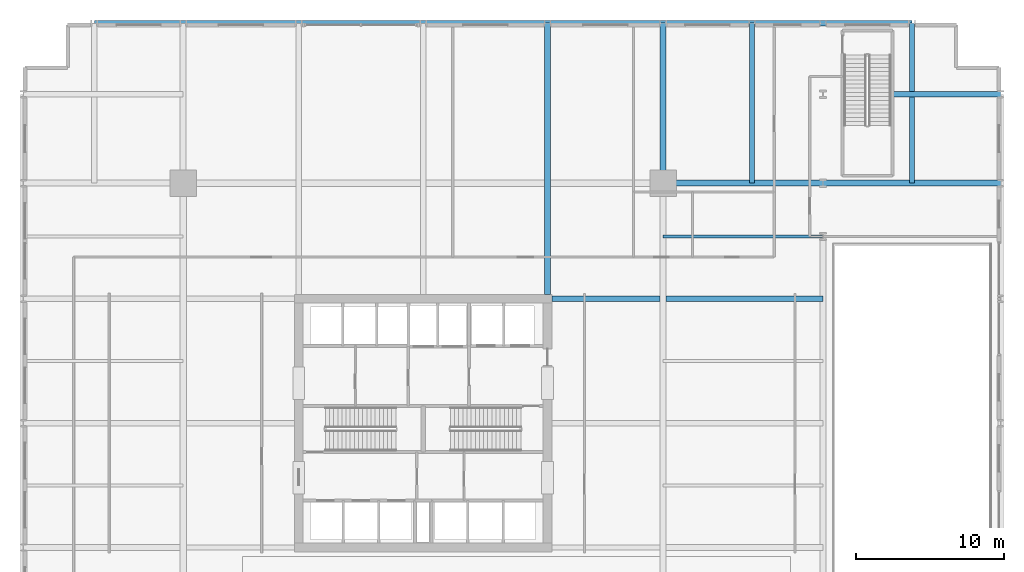
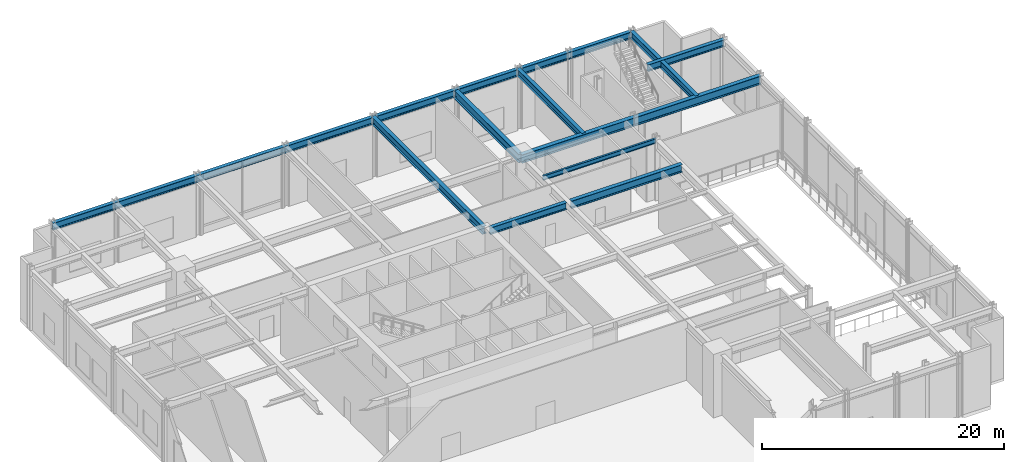
# One storey, part 6 of 20: 11 beams.
"""IFC4 building model written with IfcOpenShell, lengths in metres."""

from ifc_helpers import new_model, si_unit, direction, frame, origin, origin_2d, place, context, subcontext, project, spatial, i_section, extrude, material, material_profile, profile_set, type_object, element, save


model = new_model("IFC4")

# Units and contexts
model_context = context("Model", 3, precision=1e-05, world=origin(), true_north=direction((0.0, 1.0)))
body_context = subcontext(model_context, "Body", "Model", "MODEL_VIEW")
ifc_project = project(units=[si_unit("LENGTHUNIT", "METRE"), si_unit("AREAUNIT", "SQUARE_METRE"), si_unit("VOLUMEUNIT", "CUBIC_METRE"), si_unit("PLANEANGLEUNIT", "RADIAN"), si_unit("MASSUNIT", "GRAM", prefix="KILO")], contexts=[model_context])

# Site, building, storey
site_placement = place(None, origin())
site = spatial("IfcSite", under=ifc_project, at=site_placement, CompositionType="ELEMENT")
building_placement = place(site_placement, origin())
building = spatial("IfcBuilding", under=site, at=building_placement, Name="Drelvath Grand Hotel", CompositionType="ELEMENT")
storey_placement = place(building_placement, frame((0.0, 0.0, 10.800048828125)))
storey = spatial("IfcBuildingStorey", under=building, at=storey_placement, Name="L02", CompositionType="ELEMENT", Elevation=10.800048828125)

# Beams
ifc_material = material(Name="Steel ASTM A992 Gr 50", Category="steel")
ifc_material_profile_1 = material_profile(ifc_material, i_section(OverallWidth=0.19140625, OverallDepth=0.4599609375, WebThickness=0.010009765625, FlangeThickness=0.01611328125, FilletRadius=0.01611328125, at=origin_2d()), Name="W18X55")
ifc_profile_set_1 = profile_set([ifc_material_profile_1], Name="Steel ASTM A992 Gr 50")
beam_type_1 = type_object("IfcBeamType", Name="Composite Floor Joist W18X55", PredefinedType="JOIST", material=ifc_profile_set_1)
beam_1_placement = place(storey_placement, frame((16.199951171875, 39.60009765625, 5.869873046875), z_axis=(1.0, 0.0, 0.0), x_axis=(0.0, 1.0, 0.0)))
element("IfcBeam", 1, at=beam_1_placement, inside=storey, type_object=beam_type_1, Name="L02 East Composite Joist J4", PredefinedType="JOIST", context=body_context, shape_type="SweptSolid", body=[
    extrude(i_section(OverallWidth=0.19140625, OverallDepth=0.4599609375, WebThickness=0.010009765625, FlangeThickness=0.01611328125, FilletRadius=0.01611328125, at=origin_2d()), origin(), (0.0, 0.0, 1.0), 10.800048828125),
])
ifc_material_profile_2 = material_profile(ifc_material, i_section(OverallWidth=0.354736328125, OverallDepth=0.695556640625, WebThickness=0.015380859375, FlangeThickness=0.025146484375, FilletRadius=0.02392578125, at=origin_2d()), Name="W27X146")
ifc_profile_set_2 = profile_set([ifc_material_profile_2], Name="Steel ASTM A992 Gr 50")
beam_type_2 = type_object("IfcBeamType", Name="Perimeter Spandrel Beam W27X146", PredefinedType="SPANDREL", material=ifc_profile_set_2)
beam_2_placement = place(storey_placement, frame((-22.199951171875, 54.0, 5.752197265625), z_axis=(1.0, 0.0, 0.0), x_axis=(0.0, 1.0, 0.0)))
element("IfcBeam", 2, at=beam_2_placement, inside=storey, type_object=beam_type_2, Name="L02 Podium Perimeter Spandrel SPN1", PredefinedType="SPANDREL", context=body_context, shape_type="SweptSolid", body=[
    extrude(i_section(OverallWidth=0.354736328125, OverallDepth=0.695556640625, WebThickness=0.015380859375, FlangeThickness=0.025146484375, FilletRadius=0.02392578125, at=origin_2d()), origin(), (0.0, 0.0, 1.0), 55.199951171875),
])
ifc_material_profile_3 = material_profile(ifc_material, i_section(OverallWidth=0.354736328125, OverallDepth=0.695556640625, WebThickness=0.015380859375, FlangeThickness=0.025146484375, FilletRadius=0.02392578125, at=origin_2d()), Name="W27X146")
ifc_profile_set_3 = profile_set([ifc_material_profile_3], Name="Steel ASTM A992 Gr 50")
beam_type_3 = type_object("IfcBeamType", Name="Primary Floor Girder W27X146", PredefinedType="BEAM", material=ifc_profile_set_3)
beam_3_placement = place(storey_placement, frame((8.699951171875, 35.39990234375, 5.752197265625), z_axis=(1.0, 0.0, 0.0), x_axis=(0.0, 1.0, 0.0)))
element("IfcBeam", 3, at=beam_3_placement, inside=storey, type_object=beam_type_3, Name="L02 East Core Girder F", PredefinedType="BEAM", context=body_context, shape_type="SweptSolid", body=[
    extrude(i_section(OverallWidth=0.354736328125, OverallDepth=0.695556640625, WebThickness=0.015380859375, FlangeThickness=0.025146484375, FilletRadius=0.02392578125, at=origin_2d()), origin(), (0.0, 0.0, 1.0), 7.28857421875),
])
beam_4_placement = place(storey_placement, frame((31.679931640625, 49.199951171875, 5.752197265625), z_axis=(1.0, 0.0, 0.0), x_axis=(0.0, 1.0, 0.0)))
element("IfcBeam", 4, at=beam_4_placement, inside=storey, type_object=beam_type_3, Name="L02 East Corner Tie H", PredefinedType="BEAM", context=body_context, shape_type="SweptSolid", body=[
    extrude(i_section(OverallWidth=0.354736328125, OverallDepth=0.695556640625, WebThickness=0.015380859375, FlangeThickness=0.025146484375, FilletRadius=0.02392578125, at=origin_2d()), origin(), (0.0, 0.0, 1.0), 7.320068359375),
])
for number, where, z_axis, x_axis, name in (
    (5, (22.199951171875, 43.199951171875, 5.752197265625), (0.0, 1.0, 0.0), (-1.0, 0.0, 0.0), "L02 North Corner Tie 8"),
    (6, (33.0, 43.199951171875, 5.752197265625), (0.0, 1.0, 0.0), (-1.0, 0.0, 0.0), "L02 North Corner Tie 10"),
):
    element("IfcBeam", number, at=place(storey_placement, frame(where, z_axis=z_axis, x_axis=x_axis)), inside=storey, type_object=beam_type_3, Name=name, PredefinedType="BEAM", context=body_context, shape_type="SweptSolid", body=[
        extrude(i_section(OverallWidth=0.354736328125, OverallDepth=0.695556640625, WebThickness=0.015380859375, FlangeThickness=0.025146484375, FilletRadius=0.02392578125, at=origin_2d()), origin(), (0.0, 0.0, 1.0), 10.800048828125),
    ])
ifc_material_profile_4 = material_profile(ifc_material, i_section(OverallWidth=0.380615234375, OverallDepth=0.773193359375, WebThickness=0.0166015625, FlangeThickness=0.027099609375, FilletRadius=0.02490234375, at=origin_2d()), Name="W30X173")
ifc_profile_set_4 = profile_set([ifc_material_profile_4], Name="Steel ASTM A992 Gr 50")
beam_type_4 = type_object("IfcBeamType", Name="Primary Floor Girder W30X173", PredefinedType="BEAM", material=ifc_profile_set_4)
beam_5_placement = place(storey_placement, frame((8.39990234375, 35.699951171875, 5.71337890625), z_axis=(0.0, 1.0, 0.0), x_axis=(-1.0, 0.0, 0.0)))
element("IfcBeam", 7, at=beam_5_placement, inside=storey, type_object=beam_type_4, Name="L02 North Span Girder Grid 6", PredefinedType="BEAM", context=body_context, shape_type="SweptSolid", body=[
    extrude(i_section(OverallWidth=0.380615234375, OverallDepth=0.773193359375, WebThickness=0.0166015625, FlangeThickness=0.027099609375, FilletRadius=0.02490234375, at=origin_2d()), origin(), (0.0, 0.0, 1.0), 18.300048828125),
])
beam_6_placement = place(storey_placement, frame((16.41162109375, 35.39990234375, 5.71337890625), z_axis=(1.0, 0.0, 0.0), x_axis=(0.0, 1.0, 0.0)))
element("IfcBeam", 8, at=beam_6_placement, inside=storey, type_object=beam_type_4, Name="L02 East Bay Girder F", PredefinedType="BEAM", context=body_context, shape_type="SweptSolid", body=[
    extrude(i_section(OverallWidth=0.380615234375, OverallDepth=0.773193359375, WebThickness=0.0166015625, FlangeThickness=0.027099609375, FilletRadius=0.02490234375, at=origin_2d()), origin(), (0.0, 0.0, 1.0), 10.58837890625),
])
ifc_material_profile_5 = material_profile(ifc_material, i_section(OverallWidth=0.39990234375, OverallDepth=0.85546875, WebThickness=0.018310546875, FlangeThickness=0.029296875, FilletRadius=0.02490234375, at=origin_2d()), Name="W33X201")
ifc_profile_set_5 = profile_set([ifc_material_profile_5], Name="Steel ASTM A992 Gr 50")
beam_type_5 = type_object("IfcBeamType", Name="Primary Floor Girder W33X201", PredefinedType="BEAM", material=ifc_profile_set_5)
beam_7_placement = place(storey_placement, frame((16.199951171875, 43.199951171875, 5.672119140625), z_axis=(1.0, 0.0, 0.0), x_axis=(0.0, 1.0, 0.0)))
element("IfcBeam", 9, at=beam_7_placement, inside=storey, type_object=beam_type_5, Name="L02 East Podium Girder 1 G", PredefinedType="BEAM", context=body_context, shape_type="SweptSolid", body=[
    extrude(i_section(OverallWidth=0.39990234375, OverallDepth=0.85546875, WebThickness=0.018310546875, FlangeThickness=0.029296875, FilletRadius=0.02490234375, at=origin_2d()), origin(), (0.0, 0.0, 1.0), 10.800048828125),
])
beam_8_placement = place(storey_placement, frame((27.0, 43.199951171875, 5.672119140625), z_axis=(1.0, 0.0, 0.0), x_axis=(0.0, 1.0, 0.0)))
element("IfcBeam", 10, at=beam_8_placement, inside=storey, type_object=beam_type_5, Name="L02 East Podium Girder 2 G", PredefinedType="BEAM", context=body_context, shape_type="SweptSolid", body=[
    extrude(i_section(OverallWidth=0.39990234375, OverallDepth=0.85546875, WebThickness=0.018310546875, FlangeThickness=0.029296875, FilletRadius=0.02490234375, at=origin_2d()), origin(), (0.0, 0.0, 1.0), 12.0),
])
beam_9_placement = place(storey_placement, frame((16.199951171875, 43.199951171875, 5.672119140625), z_axis=(0.0, 1.0, 0.0), x_axis=(-1.0, 0.0, 0.0)))
element("IfcBeam", 11, at=beam_9_placement, inside=storey, type_object=beam_type_5, Name="L02 North Podium Girder 7", PredefinedType="BEAM", context=body_context, shape_type="SweptSolid", body=[
    extrude(i_section(OverallWidth=0.39990234375, OverallDepth=0.85546875, WebThickness=0.018310546875, FlangeThickness=0.029296875, FilletRadius=0.02490234375, at=origin_2d()), origin(), (0.0, 0.0, 1.0), 10.800048828125),
])

save(model, "model.ifc")
